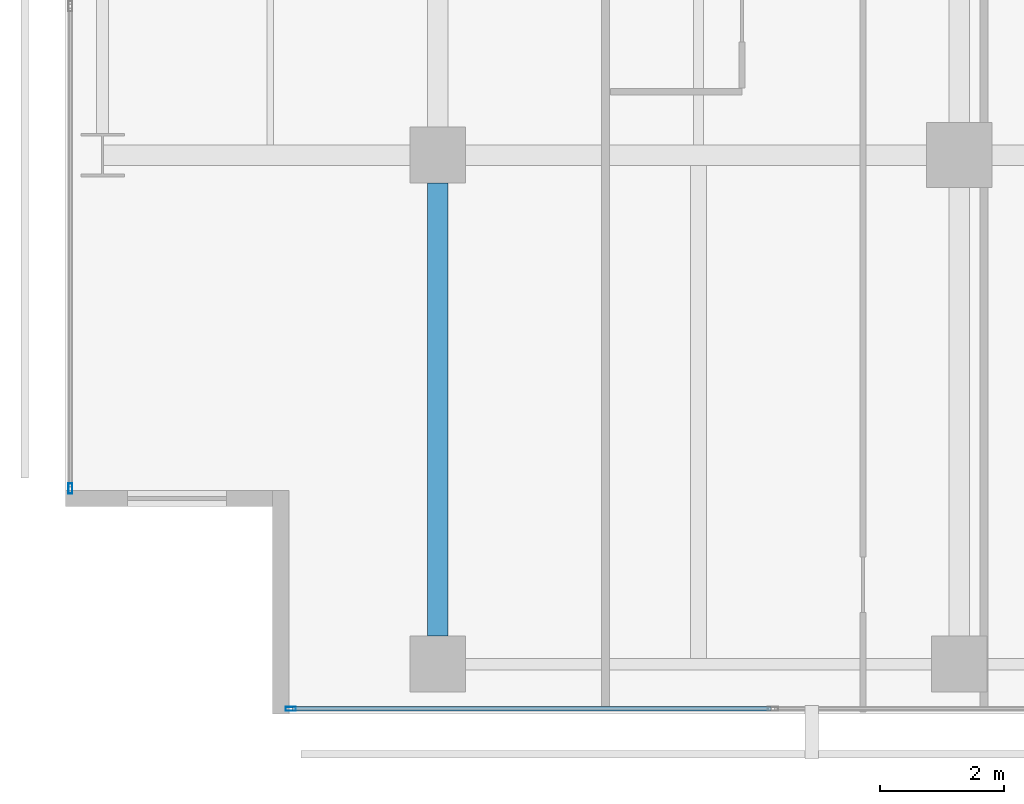
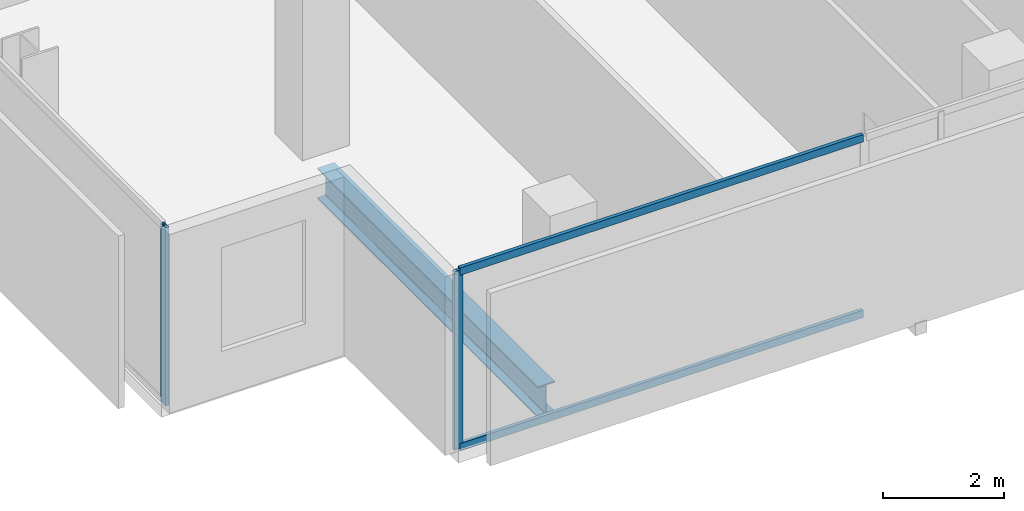
# One storey, part 2 of 40: 4 members, 1 beam, 2 elements without a shape of their own.
"""IFC4 building model written with IfcOpenShell, lengths in metres."""

from ifc_helpers import new_model, si_unit, direction, frame, origin, origin_2d, place, context, subcontext, project, spatial, hollow_rectangle, i_section, extrude, material, layer, layer_set, material_profile, profile_set, type_object, element, aggregate, save


model = new_model("IFC4")

# Units and contexts
model_context = context("Model", 3, precision=1e-05, world=origin(), true_north=direction((0.0, 1.0)))
body_context = subcontext(model_context, "Body", "Model", "MODEL_VIEW")
ifc_project = project(units=[si_unit("LENGTHUNIT", "METRE"), si_unit("AREAUNIT", "SQUARE_METRE"), si_unit("VOLUMEUNIT", "CUBIC_METRE"), si_unit("PLANEANGLEUNIT", "RADIAN"), si_unit("MASSUNIT", "GRAM", prefix="KILO")], contexts=[model_context])

# Site, building, storey
site_placement = place(None, origin())
site = spatial("IfcSite", under=ifc_project, at=site_placement, CompositionType="ELEMENT")
building_placement = place(site_placement, origin())
building = spatial("IfcBuilding", under=site, at=building_placement, Name="Maruvema Waterfront Hotel and Observation Tower", CompositionType="ELEMENT")
storey_placement = place(building_placement, frame((0.0, 0.0, 38.5)))
storey = spatial("IfcBuildingStorey", under=building, at=storey_placement, Name="L08", CompositionType="ELEMENT", Elevation=38.5)

# Curtain wall, members
ifc_material_1 = material(Name="Anodised bronze aluminium and solar-control low-E IGU", Category="aluminium")
ifc_layer = layer(ifc_material_1, 0.159912109375, Name="Zone 1 Bronze Inner Thermal Curtain Wall System CW-02")
ifc_layer_set = layer_set([ifc_layer], Name="Anodised bronze aluminium and solar-control low-E IGU")
curtain_wall_type = type_object("IfcCurtainWallType", Name="Zone 1 Bronze Inner Thermal Curtain Wall System CW-02", PredefinedType="USERDEFINED", material=ifc_layer_set)
curtain_wall_1_placement = place(storey_placement, origin())
curtain_wall_1 = element("IfcCurtainWall", 1, at=curtain_wall_1_placement, inside=storey, type_object=curtain_wall_type, Name="L08 Curtain Wall CW-L08-S", ObjectType="UNITISED CURTAIN WALL", PredefinedType="USERDEFINED")
ifc_material_2 = material(Name="Anodised architectural bronze aluminium", Category="aluminium")
ifc_material_profile_1 = material_profile(ifc_material_2, hollow_rectangle(XDim=0.070068359375, YDim=0.14990234375, WallThickness=0.00390625, at=origin_2d()), Name="ALU-T70x150")
ifc_profile_set_1 = profile_set([ifc_material_profile_1], Name="Anodised architectural bronze aluminium")
member_type_1 = type_object("IfcMemberType", Name="Curtain Wall Horizontal Transom ALU-T70x150", PredefinedType="USERDEFINED", material=ifc_profile_set_1)
member_1_placement = place(storey_placement, frame((14.4599609375, 0.080078125, 0.030029296875), z_axis=(1.0, 0.0, 0.0), x_axis=(0.0, 1.0, 0.0)))
member_1 = element("IfcMember", 2, at=member_1_placement, type_object=member_type_1, Name="CW-02 transom 1.1", ObjectType="TRANSOM", PredefinedType="USERDEFINED", context=body_context, shape_type="SweptSolid", body=[
    extrude(hollow_rectangle(XDim=0.070068359375, YDim=0.14990234375, WallThickness=0.00390625, at=origin_2d()), origin(), (0.0, 0.0, 1.0), 7.7099609375),
])
member_2_placement = place(storey_placement, frame((14.4599609375, 0.080078125, 3.580078125), z_axis=(1.0, 0.0, 0.0), x_axis=(0.0, 1.0, 0.0)))
member_2 = element("IfcMember", 3, at=member_2_placement, type_object=member_type_1, Name="CW-02 transom 1.2", ObjectType="TRANSOM", PredefinedType="USERDEFINED", context=body_context, shape_type="SweptSolid", body=[
    extrude(hollow_rectangle(XDim=0.070068359375, YDim=0.14990234375, WallThickness=0.00390625, at=origin_2d()), origin(), (0.0, 0.0, 1.0), 7.7099609375),
])
ifc_material_3 = material(Name="Anodised architectural bronze aluminium", Category="aluminium")
ifc_material_profile_2 = material_profile(ifc_material_3, hollow_rectangle(XDim=0.06494140625, YDim=0.1650390625, WallThickness=0.00390625, at=origin_2d()), Name="ALU-M65x165")
ifc_profile_set_2 = profile_set([ifc_material_profile_2], Name="Anodised architectural bronze aluminium")
member_type_2 = type_object("IfcMemberType", Name="Curtain Wall Primary Mullion ALU-M65x165", PredefinedType="MULLION", material=ifc_profile_set_2)
member_3_placement = place(storey_placement, frame((14.429931640625, 0.080078125, 0.0), z_axis=(0.0, 0.0, 1.0), x_axis=(0.0, 1.0, 0.0)))
member_3 = element("IfcMember", 4, at=member_3_placement, type_object=member_type_2, Name="CW-02 mullion 1", PredefinedType="MULLION", context=body_context, shape_type="SweptSolid", body=[
    extrude(hollow_rectangle(XDim=0.06494140625, YDim=0.1650390625, WallThickness=0.00390625, at=origin_2d()), origin(), (0.0, 0.0, 1.0), 3.610107421875),
])
aggregate(curtain_wall_1, [member_3, member_1, member_2])

# Curtain wall, member
curtain_wall_2_placement = place(storey_placement, origin())
curtain_wall_2 = element("IfcCurtainWall", 5, at=curtain_wall_2_placement, inside=storey, type_object=curtain_wall_type, Name="L08 Curtain Wall CW-L08-W", ObjectType="UNITISED CURTAIN WALL", PredefinedType="USERDEFINED")
member_4_placement = place(storey_placement, frame((10.8798828125, 3.6298828125, 0.0), z_axis=(0.0, 0.0, 1.0), x_axis=(1.0, 0.0, 0.0)))
member_4 = element("IfcMember", 6, at=member_4_placement, type_object=member_type_2, Name="CW-02 mullion 7", PredefinedType="MULLION", context=body_context, shape_type="SweptSolid", body=[
    extrude(hollow_rectangle(XDim=0.06494140625, YDim=0.1650390625, WallThickness=0.00390625, at=origin_2d()), origin(), (0.0, 0.0, 1.0), 3.610107421875),
])
aggregate(curtain_wall_2, [member_4])

# Beam
ifc_material_4 = material(Name="Steel ASTM A572 Grade 50", Category="steel")
ifc_material_profile_3 = material_profile(ifc_material_4, i_section(OverallWidth=0.326904296875, OverallDepth=0.6220703125, WebThickness=0.015380859375, FlangeThickness=0.0244140625, FilletRadius=0.01806640625, at=origin_2d()), Name="W610x195.0")
ifc_profile_set_3 = profile_set([ifc_material_profile_3], Name="Steel ASTM A572 Grade 50")
beam_type = type_object("IfcBeamType", Name="Primary Floor Girder W610x195.0", PredefinedType="BEAM", material=ifc_profile_set_3)
beam_placement = place(storey_placement, frame((16.800048828125, 1.25, -0.551025390625), z_axis=(0.0, 1.0, 0.0), x_axis=(-1.0, 0.0, 0.0)))
element("IfcBeam", 7, at=beam_placement, inside=storey, type_object=beam_type, Name="L08 Floor Girder NS-05", PredefinedType="BEAM", context=body_context, shape_type="SweptSolid", body=[
    extrude(i_section(OverallWidth=0.326904296875, OverallDepth=0.6220703125, WebThickness=0.015380859375, FlangeThickness=0.0244140625, FilletRadius=0.01806640625, at=origin_2d()), origin(), (0.0, 0.0, 1.0), 7.300048828125),
])

save(model, "model.ifc")
